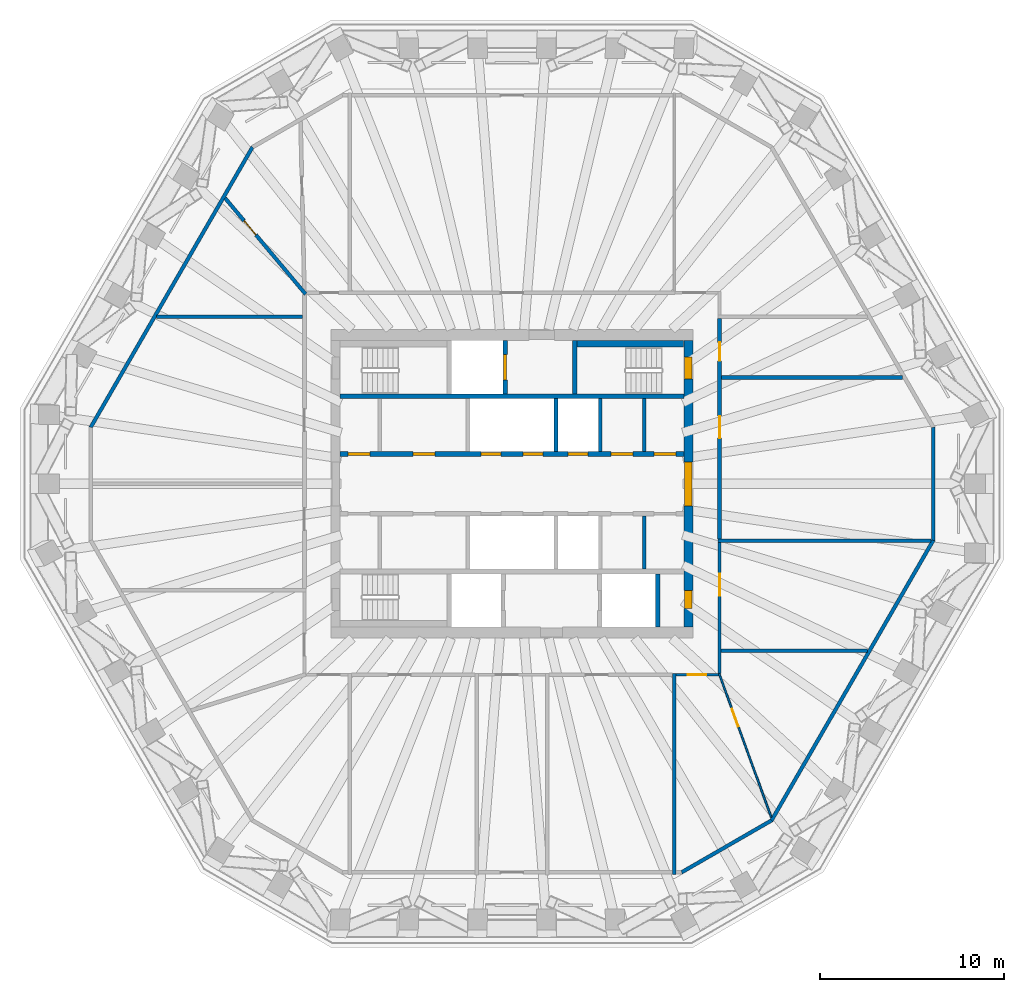
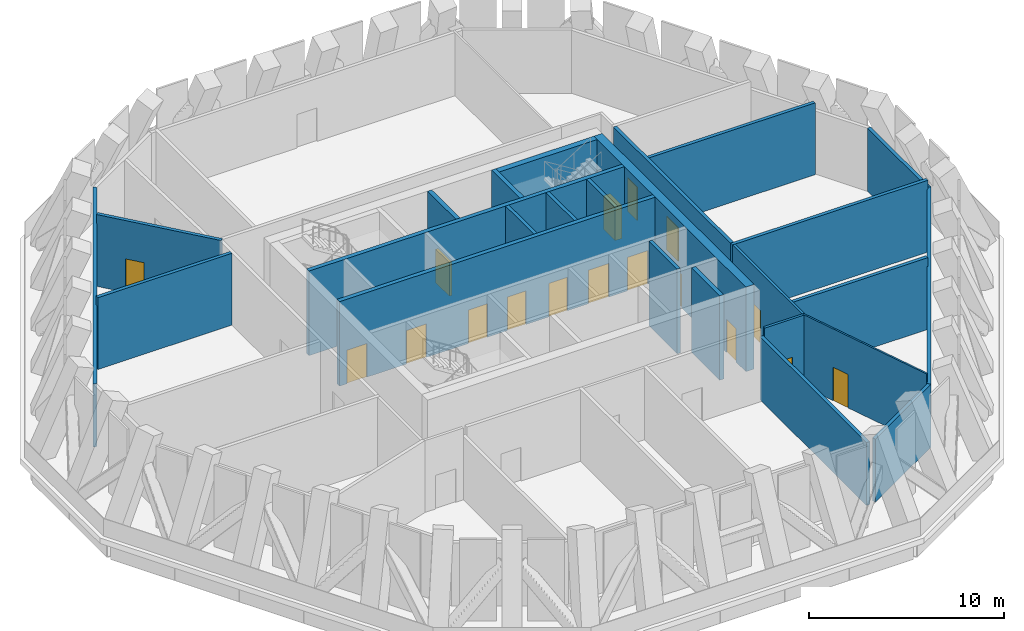
# One storey, part 5 of 8: 25 walls, 17 doors, 17 openings.
"""IFC4 building model written with IfcOpenShell, lengths in metres."""

import ifcopenshell
import ifcopenshell.guid

model = None  # the IFC model being written
_history = None  # IfcOwnerHistory: only IFC2X3 demands one
_inside = {}  # id of a spatial element -> (the spatial element, [elements in it])
_under = {}  # id of a project, library or spatial element -> (it, [spatial elements below it])
_declared = {}  # id of a project -> (the project, [libraries it declares])
_typed = {}  # id of a type object -> (the type object, [elements of that type])
_made_of = {}  # id of a material, layer set ... -> (it, [elements and type objects made of it])


def new_model(schema):
    """Start an empty IFC model of exactly this schema.

    Asked for "IFC4X3", IfcOpenShell would pick the latest addendum, in which some entities
    have other attributes; the version numbers below select the first issue.
    IFC2X3 requires an IfcOwnerHistory on every rooted entity: one is made here for all.
    """
    global model, _history
    if schema == "IFC4X3":
        model = ifcopenshell.file(schema_version=(4, 3, 0, 0))
    else:
        model = ifcopenshell.file(schema=schema)
    _inside.clear()
    _under.clear()
    _declared.clear()
    _typed.clear()
    _made_of.clear()
    _history = None
    if model.schema == "IFC2X3":
        org = make("IfcOrganization", Name="unknown")
        user = make(
            "IfcPersonAndOrganization",
            ThePerson=make("IfcPerson", FamilyName="unknown"),
            TheOrganization=org,
        )
        app = make(
            "IfcApplication",
            ApplicationDeveloper=org,
            Version="unknown",
            ApplicationFullName="unknown",
            ApplicationIdentifier="unknown",
        )
        _history = make(
            "IfcOwnerHistory",
            OwningUser=user,
            OwningApplication=app,
            ChangeAction="ADDED",
            CreationDate=0,
        )
    return model


def make(cls, **values):
    """One entity of the class cls with the attributes given. An attribute that is None is left unset."""
    return model.create_entity(
        cls, **{name: value for name, value in values.items() if value is not None}
    )


def rooted(cls, **values):
    """An entity with a GlobalId (a new one), such as an element, a storey or a relation."""
    return make(cls, GlobalId=ifcopenshell.guid.new(), OwnerHistory=_history, **values)


def si_unit(unit_type, name, prefix=None):
    """IfcSIUnit, for example si_unit("LENGTHUNIT", "METRE", prefix="MILLI")."""
    return make("IfcSIUnit", UnitType=unit_type, Prefix=prefix, Name=name)


def assignment(units):
    """IfcUnitAssignment: the units of a project."""
    return None if units is None else make("IfcUnitAssignment", Units=units)


def point(xyz):
    """IfcCartesianPoint."""
    return None if xyz is None else make("IfcCartesianPoint", Coordinates=xyz)


def direction(xyz):
    """IfcDirection."""
    return None if xyz is None else make("IfcDirection", DirectionRatios=xyz)


def frame(location, z_axis=None, x_axis=None):
    """IfcAxis2Placement3D, a coordinate frame: its origin and axes. An axis left out is left unset."""
    return make(
        "IfcAxis2Placement3D",
        Location=point(location),
        Axis=direction(z_axis),
        RefDirection=direction(x_axis),
    )


def frame_2d(location, x_axis=None):
    """IfcAxis2Placement2D, a coordinate frame in the plane: its origin and x axis."""
    return make(
        "IfcAxis2Placement2D", Location=point(location), RefDirection=direction(x_axis)
    )


def origin():
    """The frame at (0, 0, 0) with its axes left unset."""
    return frame((0.0, 0.0, 0.0))


def place(relative_to, where):
    """IfcLocalPlacement: puts the frame where relative to a parent placement (None: the world)."""
    return make(
        "IfcLocalPlacement", PlacementRelTo=relative_to, RelativePlacement=where
    )


def context(
    kind, dimensions, precision=None, world=None, true_north=None, identifier=None
):
    """IfcGeometricRepresentationContext, for example the 3D "Model" context."""
    return make(
        "IfcGeometricRepresentationContext",
        ContextIdentifier=identifier,
        ContextType=kind,
        CoordinateSpaceDimension=dimensions,
        Precision=precision,
        WorldCoordinateSystem=world,
        TrueNorth=true_north,
    )


def subcontext(parent, identifier, kind, view, scale=None):
    """IfcGeometricRepresentationSubContext, for example "Body" below "Model"."""
    return make(
        "IfcGeometricRepresentationSubContext",
        ContextIdentifier=identifier,
        ContextType=kind,
        ParentContext=parent,
        TargetScale=scale,
        TargetView=view,
    )


def project(units=None, contexts=None):
    """IfcProject with its units and contexts."""
    return rooted(
        "IfcProject",
        Name="project",
        RepresentationContexts=contexts,
        UnitsInContext=assignment(units),
    )


def spatial(cls, under=None, at=None, **own):
    """A site, building, storey or space (cls), placed at a placement, below another one or the project."""
    s = rooted(cls, ObjectPlacement=at, **own)
    if under is not None:
        _under.setdefault(under.id(), (under, []))[1].append(s)
    return s


def polyline(points):
    """IfcPolyline through the points."""
    return make("IfcPolyline", Points=[point(p) for p in points])


def profile(cls, at=None, kind="AREA", **sizes):
    """A parametric profile (cls). Its sizes go by their IFC names, for example OverallWidth=200.0."""
    return make(cls, ProfileType=kind, Position=at, **sizes)


def rectangle(**sizes):
    """IfcRectangleProfileDef."""
    return profile("IfcRectangleProfileDef", **sizes)


def outline(outer, holes=None, kind="AREA"):
    """IfcArbitraryClosedProfileDef: a profile drawn as a closed curve; with holes, ...WithVoids."""
    if holes is None:
        return make("IfcArbitraryClosedProfileDef", ProfileType=kind, OuterCurve=outer)
    return make(
        "IfcArbitraryProfileDefWithVoids",
        ProfileType=kind,
        OuterCurve=outer,
        InnerCurves=holes,
    )


def extrude(swept, where, along, depth):
    """IfcExtrudedAreaSolid: the profile swept, set in the frame where, extruded along a direction by depth."""
    return make(
        "IfcExtrudedAreaSolid",
        SweptArea=swept,
        Position=where,
        ExtrudedDirection=direction(along),
        Depth=depth,
    )


def shape(context_of_items, identifier, shape_type, items):
    """IfcShapeRepresentation: the items that make up one representation, for example the "Body"."""
    return make(
        "IfcShapeRepresentation",
        ContextOfItems=context_of_items,
        RepresentationIdentifier=identifier,
        RepresentationType=shape_type,
        Items=items,
    )


def material(Name=None, Category=None):
    """IfcMaterial."""
    return make("IfcMaterial", Name=Name, Category=Category)


def layer(
    of_material, thickness, ventilated=None, Name=None, Category=None, Priority=None
):
    """IfcMaterialLayer: one layer of a wall or slab, of a material (None: an air gap)."""
    return make(
        "IfcMaterialLayer",
        Material=of_material,
        LayerThickness=thickness,
        IsVentilated=ventilated,
        Name=Name,
        Category=Category,
        Priority=Priority,
    )


def layer_set(layers, Name=None):
    """IfcMaterialLayerSet."""
    return make("IfcMaterialLayerSet", MaterialLayers=layers, LayerSetName=Name)


def made_of(thing, what):
    """Note that an element or type object is made of a material, layer set ...; save() writes the relation."""
    if what is not None:
        _made_of.setdefault(what.id(), (what, []))[1].append(thing)
    return thing


def type_object(cls, material=None, **own):
    """A type object (cls), such as IfcWallType, which elements share."""
    return made_of(rooted(cls, **own), material)


def element(
    cls,
    number,
    at=None,
    inside=None,
    cuts=None,
    type_object=None,
    material=None,
    context=None,
    identifier="Body",
    shape_type=None,
    held_by="IfcProductDefinitionShape",
    body=None,
    shapes=None,
    **own,
):
    """One element of the class cls, such as IfcWall. Its Tag is "e" and its number.

    at: its placement. inside: the storey or other place that contains it. cuts: it is an
    opening in that element (IfcRelVoidsElement). A single representation is given by context,
    identifier, shape_type and body (its items); several are given by shapes. held_by: the class
    of the entity that holds the representations. save() writes the other relations.
    """
    e = rooted(cls, Tag="e%d" % number, ObjectPlacement=at, **own)
    if body is not None:
        shapes = [shape(context, identifier, shape_type, body)]
    if shapes is not None:
        e.Representation = make(held_by, Representations=shapes)
    if inside is not None:
        _inside.setdefault(inside.id(), (inside, []))[1].append(e)
    if cuts is not None:
        rooted(
            "IfcRelVoidsElement", RelatingBuildingElement=cuts, RelatedOpeningElement=e
        )
    if type_object is not None:
        _typed.setdefault(type_object.id(), (type_object, []))[1].append(e)
    return made_of(e, material)


def fill(opening, filler):
    """IfcRelFillsElement: the door or window that sits in an opening."""
    return rooted(
        "IfcRelFillsElement",
        RelatingOpeningElement=opening,
        RelatedBuildingElement=filler,
    )


def aggregate(whole, parts):
    """IfcRelAggregates: a whole, such as a stair, and the parts it consists of."""
    return rooted("IfcRelAggregates", RelatingObject=whole, RelatedObjects=parts)


def save(model, path):
    """Write the relations noted so far, then the file.

    IfcRelAggregates (storeys below a building ...), IfcRelContainedInSpatialStructure (elements
    in a storey), IfcRelDefinesByType, IfcRelAssociatesMaterial and IfcRelDeclares: one each for
    every whole, place, type object, material and project.
    """
    for whole, parts in _under.values():
        aggregate(whole, parts)
    for where, things in _inside.values():
        rooted(
            "IfcRelContainedInSpatialStructure",
            RelatedElements=things,
            RelatingStructure=where,
        )
    for kind, things in _typed.values():
        rooted("IfcRelDefinesByType", RelatedObjects=things, RelatingType=kind)
    for what, things in _made_of.values():
        rooted("IfcRelAssociatesMaterial", RelatedObjects=things, RelatingMaterial=what)
    for by, libraries in _declared.values():
        rooted("IfcRelDeclares", RelatingContext=by, RelatedDefinitions=libraries)
    model.write(path)


model = new_model("IFC4")

# Units and contexts
model_context = context("Model", 3, precision=1e-05, world=origin(), true_north=direction((0.0, 1.0)))
body_context = subcontext(model_context, "Body", "Model", "MODEL_VIEW")
ifc_project = project(units=[si_unit("LENGTHUNIT", "METRE"), si_unit("AREAUNIT", "SQUARE_METRE"), si_unit("VOLUMEUNIT", "CUBIC_METRE"), si_unit("PLANEANGLEUNIT", "RADIAN"), si_unit("MASSUNIT", "GRAM", prefix="KILO")], contexts=[model_context])

# Site, building, storey
site_placement = place(None, origin())
site = spatial("IfcSite", under=ifc_project, at=site_placement, CompositionType="ELEMENT")
building_placement = place(site_placement, origin())
building = spatial("IfcBuilding", under=site, at=building_placement, Name="Frailejon Research Tower", CompositionType="ELEMENT")
storey_placement = place(building_placement, frame((0.0, 0.0, 257.39990234375)))
storey = spatial("IfcBuildingStorey", under=building, at=storey_placement, Name="L56", CompositionType="ELEMENT", Elevation=257.39990234375)

# Wall, openings, doors
ifc_material_1 = material(Name="Concrete C50/60", Category="concrete")
ifc_layer_1 = layer(ifc_material_1, 0.5)
ifc_layer_set_1 = layer_set([ifc_layer_1], Name="Core shear wall 500 C50/60")
wall_type_1 = type_object("IfcWallType", Name="Core shear wall 500 C50/60", PredefinedType="SHEAR", material=ifc_layer_set_1)
wall_1_placement = place(storey_placement, frame((9.60009765625, -7.800048828125, 0.0), z_axis=(0.0, 0.0, 1.0), x_axis=(0.0, 1.0, 0.0)))
wall_1 = element("IfcWall", 1, at=wall_1_placement, inside=storey, type_object=wall_type_1, Name="Core shear wall", PredefinedType="SHEAR", context=body_context, shape_type="SweptSolid", body=[
    extrude(rectangle(XDim=15.60009765625, YDim=0.5, at=frame_2d((7.800048828125, 0.0))), origin(), (0.0, 0.0, 1.0), 5.300048828125),
])
opening_1_placement = place(wall_1_placement, frame((6.60009765625, 0.0, 0.0)))
opening_1 = element("IfcOpeningElement", 2, at=opening_1_placement, cuts=wall_1, Name="Opening D2", PredefinedType="OPENING", context=body_context, shape_type="SweptSolid", body=[
    extrude(rectangle(XDim=2.39990234375, YDim=2.10009765625, at=frame_2d((1.199951171875, 1.050048828125))), frame((0.0, 0.260009765625, 0.0), z_axis=(0.0, -1.0, 0.0), x_axis=(1.0, 0.0, 0.0)), (0.0, 0.0, 1.0), 0.52001953125),
])
opening_2_placement = place(wall_1_placement, frame((13.5, 0.0, 0.0)))
opening_2 = element("IfcOpeningElement", 3, at=opening_2_placement, cuts=wall_1, Name="Opening D1", PredefinedType="OPENING", context=body_context, shape_type="SweptSolid", body=[
    extrude(rectangle(XDim=1.199951171875, YDim=2.10009765625, at=frame_2d((0.60009765625, 1.050048828125))), frame((0.0, 0.260009765625, 0.0), z_axis=(0.0, -1.0, 0.0), x_axis=(1.0, 0.0, 0.0)), (0.0, 0.0, 1.0), 0.52001953125),
])
opening_3_placement = place(wall_1_placement, frame((1.0, 0.0, 0.0)))
opening_3 = element("IfcOpeningElement", 4, at=opening_3_placement, cuts=wall_1, Name="Opening D4", PredefinedType="OPENING", context=body_context, shape_type="SweptSolid", body=[
    extrude(rectangle(XDim=1.0, YDim=2.10009765625, at=frame_2d((0.5, 1.050048828125))), frame((0.0, 0.260009765625, 0.0), z_axis=(0.0, -1.0, 0.0), x_axis=(1.0, 0.0, 0.0)), (0.0, 0.0, 1.0), 0.52001953125),
])
ifc_material_2 = material(Name="Steel", Category="steel")
door_type_1 = type_object("IfcDoorType", Name="Lobby double door", OperationType="DOUBLE_DOOR_SINGLE_SWING", PredefinedType="DOOR", material=ifc_material_2)
door_1_placement = place(opening_1_placement, origin())
door_1 = element("IfcDoor", 5, at=door_1_placement, inside=storey, type_object=door_type_1, Name="Lobby door", OperationType="DOUBLE_DOOR_SINGLE_SWING", OverallHeight=2.10009765625, OverallWidth=2.39990234375, PredefinedType="DOOR", context=body_context, shape_type="SweptSolid", body=[
    extrude(rectangle(XDim=2.39990234375, YDim=2.10009765625, at=frame_2d((1.199951171875, 1.050048828125))), frame((0.0, 0.199951171875, 0.0), z_axis=(0.0, -1.0, 0.0), x_axis=(1.0, 0.0, 0.0)), (0.0, 0.0, 1.0), 0.39990234375),
])
fill(opening_1, door_1)
ifc_material_3 = material(Name="Steel", Category="steel")
door_type_2 = type_object("IfcDoorType", Name="Service door", OperationType="SINGLE_SWING_LEFT", PredefinedType="DOOR", material=ifc_material_3)
door_2_placement = place(opening_3_placement, origin())
door_2 = element("IfcDoor", 6, at=door_2_placement, inside=storey, type_object=door_type_2, Name="Riser door", OperationType="SINGLE_SWING_LEFT", OverallHeight=2.10009765625, OverallWidth=1.0, PredefinedType="DOOR", context=body_context, shape_type="SweptSolid", body=[
    extrude(rectangle(XDim=1.0, YDim=2.10009765625, at=frame_2d((0.5, 1.050048828125))), frame((0.0, 0.199951171875, 0.0), z_axis=(0.0, -1.0, 0.0), x_axis=(1.0, 0.0, 0.0)), (0.0, 0.0, 1.0), 0.39990234375),
])
fill(opening_3, door_2)
ifc_material_4 = material(Name="Steel", Category="steel")
door_type_3 = type_object("IfcDoorType", Name="Stair door", OperationType="SINGLE_SWING_LEFT", PredefinedType="DOOR", material=ifc_material_4)
door_3_placement = place(opening_2_placement, origin())
door_3 = element("IfcDoor", 7, at=door_3_placement, inside=storey, type_object=door_type_3, Name="Stair door ST3", OperationType="SINGLE_SWING_RIGHT", OverallHeight=2.10009765625, OverallWidth=1.199951171875, PredefinedType="DOOR", context=body_context, shape_type="SweptSolid", body=[
    extrude(rectangle(XDim=1.199951171875, YDim=2.10009765625, at=frame_2d((0.60009765625, 1.050048828125))), frame((0.0, 0.199951171875, 0.0), z_axis=(0.0, -1.0, 0.0), x_axis=(1.0, 0.0, 0.0)), (0.0, 0.0, 1.0), 0.39990234375),
])
fill(opening_2, door_3)

# Wall, opening, door
ifc_material_5 = material(Name="Gypsum board and masonry partition", Category="masonry")
ifc_layer_2 = layer(ifc_material_5, 0.14990234375)
ifc_layer_set_2 = layer_set([ifc_layer_2], Name="Corridor wall EI 60, gypsum on steel studs 150")
wall_type_2 = type_object("IfcWallType", Name="Corridor wall EI 60, gypsum on steel studs 150", PredefinedType="PARTITIONING", material=ifc_layer_set_2)
wall_2_placement = place(storey_placement, frame((11.300048828125, -10.324951171875, 0.0), z_axis=(0.0, 0.0, 1.0), x_axis=(0.0, 1.0, 0.0)))
wall_2 = element("IfcWall", 8, at=wall_2_placement, inside=storey, type_object=wall_type_2, Name="T:IW:L56:002", PredefinedType="PARTITIONING", context=body_context, shape_type="SweptSolid", body=[
    extrude(rectangle(XDim=7.12158203125, YDim=0.14990234375, at=frame_2d((3.560791015625, 0.0))), origin(), (0.0, 0.0, 1.0), 4.5),
])
opening_4_placement = place(wall_2_placement, frame((4.239501953125, 0.0, 0.0)))
opening_4 = element("IfcOpeningElement", 9, at=opening_4_placement, cuts=wall_2, Name="Opening D1146", PredefinedType="OPENING", context=body_context, shape_type="SweptSolid", body=[
    extrude(rectangle(XDim=1.199951171875, YDim=2.10009765625, at=frame_2d((0.60009765625, 1.050048828125))), frame((0.0, 0.0849609375, 0.0), z_axis=(0.0, -1.0, 0.0), x_axis=(1.0, 0.0, 0.0)), (0.0, 0.0, 1.0), 0.169921875),
])
ifc_material_6 = material(Name="Steel door leaf", Category="steel")
door_type_4 = type_object("IfcDoorType", Name="Door plant room, steel 1200", OperationType="NOTDEFINED", PredefinedType="DOOR", material=ifc_material_6)
door_4_placement = place(opening_4_placement, origin())
door_4 = element("IfcDoor", 10, at=door_4_placement, inside=storey, type_object=door_type_4, Name="D1146", OperationType="DOUBLE_DOOR_SINGLE_SWING", OverallHeight=2.10009765625, OverallWidth=1.199951171875, PredefinedType="DOOR", context=body_context, shape_type="SweptSolid", body=[
    extrude(rectangle(XDim=1.199951171875, YDim=2.10009765625, at=frame_2d((0.60009765625, 1.050048828125))), frame((0.0, 0.02490234375, 0.0), z_axis=(0.0, -1.0, 0.0), x_axis=(1.0, 0.0, 0.0)), (0.0, 0.0, 1.0), 0.050048828125),
])
fill(opening_4, door_4)

wall_3_placement = place(storey_placement, frame((8.9296875, -10.39990234375, 0.0), z_axis=(0.0, 0.0, 1.0), x_axis=(1.0, 0.0, 0.0)))
wall_3 = element("IfcWall", 11, at=wall_3_placement, inside=storey, type_object=wall_type_2, Name="T:IW:L56:007", PredefinedType="PARTITIONING", context=body_context, shape_type="SweptSolid", body=[
    extrude(rectangle(XDim=2.3203125, YDim=0.14990234375, at=frame_2d((1.16015625, 0.0))), origin(), (0.0, 0.0, 1.0), 4.5),
])
opening_5_placement = place(wall_3_placement, frame((0.63525390625, 0.0, 0.0)))
opening_5 = element("IfcOpeningElement", 12, at=opening_5_placement, cuts=wall_3, Name="Opening D1144", PredefinedType="OPENING", context=body_context, shape_type="SweptSolid", body=[
    extrude(rectangle(XDim=1.0, YDim=2.10009765625, at=frame_2d((0.5, 1.050048828125))), frame((0.0, 0.0849609375, 0.0), z_axis=(0.0, -1.0, 0.0), x_axis=(1.0, 0.0, 0.0)), (0.0, 0.0, 1.0), 0.169921875),
])
ifc_material_7 = material(Name="Timber door leaf", Category="wood")
door_type_5 = type_object("IfcDoorType", Name="Door single leaf, timber, steel frame 1000", OperationType="NOTDEFINED", PredefinedType="DOOR", material=ifc_material_7)
door_5_placement = place(opening_5_placement, origin())
door_5 = element("IfcDoor", 13, at=door_5_placement, inside=storey, type_object=door_type_5, Name="D1144", OperationType="SINGLE_SWING_LEFT", OverallHeight=2.10009765625, OverallWidth=1.0, PredefinedType="DOOR", context=body_context, shape_type="SweptSolid", body=[
    extrude(rectangle(XDim=1.0, YDim=2.10009765625, at=frame_2d((0.5, 1.050048828125))), frame((0.0, 0.02490234375, 0.0), z_axis=(0.0, -1.0, 0.0), x_axis=(1.0, 0.0, 0.0)), (0.0, 0.0, 1.0), 0.050048828125),
])
fill(opening_5, door_5)

# Walls
ifc_material_8 = material(Name="Aluminium louvre panel wall", Category="aluminium")
ifc_layer_3 = layer(ifc_material_8, 0.199951171875)
ifc_layer_set_3 = layer_set([ifc_layer_3], Name="Louvred plant wall 200")
wall_type_3 = type_object("IfcWallType", Name="Louvred plant wall 200", PredefinedType="SOLIDWALL", material=ifc_layer_set_3)
wall_4_placement = place(storey_placement, frame((22.934326171875, -3.076416015625, 0.0), z_axis=(0.0, 0.0, 1.0), x_axis=(0.0, 1.0, 0.0)))
element("IfcWall", 14, at=wall_4_placement, inside=storey, type_object=wall_type_3, Name="Plant louvre wall L56", PredefinedType="SOLIDWALL", context=body_context, shape_type="SweptSolid", body=[
    extrude(outline(polyline([(-0.02685546875, -0.10009765625), (6.1796875, -0.10009765625), (6.1259765625, 0.10009765625), (0.02685546875, 0.10009765625), (-0.02685546875, -0.10009765625)])), origin(), (0.0, 0.0, 1.0), 3.9501953125),
])
wall_5_placement = place(storey_placement, frame((-14.131591796875, 18.323486328125, 0.0), z_axis=(0.0, 0.0, 1.0), x_axis=(-0.499992938033, -0.866029480975, 0.0)))
element("IfcWall", 15, at=wall_5_placement, inside=storey, type_object=wall_type_3, Name="Plant louvre wall L56", PredefinedType="SOLIDWALL", context=body_context, shape_type="SweptSolid", body=[
    extrude(outline(polyline([(-0.02685546875, -0.10009765625), (17.632568359375, -0.10009765625), (17.578857421875, 0.10009765625), (0.02685546875, 0.10009765625), (-0.02685546875, -0.10009765625)])), origin(), (0.0, 0.0, 1.0), 3.9501953125),
])
wall_6_placement = place(storey_placement, frame((9.23583984375, -21.14990234375, 0.0), z_axis=(0.0, 0.0, 1.0), x_axis=(0.866036716508, 0.499980405277, 0.0)))
element("IfcWall", 16, at=wall_6_placement, inside=storey, type_object=wall_type_3, Name="Plant louvre wall L56", PredefinedType="SOLIDWALL", context=body_context, shape_type="SweptSolid", body=[
    extrude(outline(polyline([(-0.02685546875, -0.10009765625), (5.679931640625, -0.10009765625), (5.626220703125, 0.10009765625), (0.02685546875, 0.10009765625), (-0.02685546875, -0.10009765625)])), origin(), (0.0, 0.0, 1.0), 3.9501953125),
])
wall_7_placement = place(storey_placement, frame((14.131591796875, -18.323486328125, 0.0), z_axis=(0.0, 0.0, 1.0), x_axis=(0.499992938033, 0.866029480975, 0.0)))
element("IfcWall", 17, at=wall_7_placement, inside=storey, type_object=wall_type_3, Name="Plant louvre wall L56", PredefinedType="SOLIDWALL", context=body_context, shape_type="SweptSolid", body=[
    extrude(outline(polyline([(-0.02685546875, -0.10009765625), (17.632568359375, -0.10009765625), (17.578857421875, 0.10009765625), (0.02685546875, 0.10009765625), (-0.02685546875, -0.10009765625)])), origin(), (0.0, 0.0, 1.0), 3.9501953125),
])

# Wall, opening, door
ifc_material_9 = material(Name="Gypsum board and masonry partition", Category="masonry")
ifc_layer_4 = layer(ifc_material_9, 0.10009765625)
ifc_layer_set_4 = layer_set([ifc_layer_4], Name="Partition, gypsum on steel studs 100")
wall_type_4 = type_object("IfcWallType", Name="Partition, gypsum on steel studs 100", PredefinedType="PARTITIONING", material=ifc_layer_set_4)
wall_8_placement = place(storey_placement, frame((11.2744140625, -10.32958984375, 0.0), z_axis=(0.0, 0.0, 1.0), x_axis=(0.341410896854, -0.939914144754, 0.0)))
wall_8 = element("IfcWall", 18, at=wall_8_placement, inside=storey, type_object=wall_type_4, Name="T:IW:L56:009", PredefinedType="PARTITIONING", context=body_context, shape_type="SweptSolid", body=[
    extrude(rectangle(XDim=8.321533203125, YDim=0.10009765625, at=frame_2d((4.16064453125, 0.0))), origin(), (0.0, 0.0, 1.0), 4.5),
])
opening_6_placement = place(wall_8_placement, frame((2.061767578125, 0.0, 0.0)))
opening_6 = element("IfcOpeningElement", 19, at=opening_6_placement, cuts=wall_8, Name="Opening D1145", PredefinedType="OPENING", context=body_context, shape_type="SweptSolid", body=[
    extrude(rectangle(XDim=1.0, YDim=2.10009765625, at=frame_2d((0.5, 1.050048828125))), frame((0.0, 0.06005859375, 0.0), z_axis=(0.0, -1.0, 0.0), x_axis=(1.0, 0.0, 0.0)), (0.0, 0.0, 1.0), 0.1201171875),
])
door_6_placement = place(opening_6_placement, origin())
door_6 = element("IfcDoor", 20, at=door_6_placement, inside=storey, type_object=door_type_5, Name="D1145", OperationType="SINGLE_SWING_RIGHT", OverallHeight=2.10009765625, OverallWidth=1.0, PredefinedType="DOOR", context=body_context, shape_type="SweptSolid", body=[
    extrude(rectangle(XDim=1.0, YDim=2.10009765625, at=frame_2d((0.5, 1.050048828125))), frame((0.0, 0.02490234375, 0.0), z_axis=(0.0, -1.0, 0.0), x_axis=(1.0, 0.0, 0.0)), (0.0, 0.0, 1.0), 0.050048828125),
])
fill(opening_6, door_6)

# Wall, openings, doors
ifc_material_10 = material(Name="Gypsum board and masonry partition", Category="masonry")
ifc_layer_5 = layer(ifc_material_10, 0.199951171875)
ifc_layer_set_5 = layer_set([ifc_layer_5], Name="Plant enclosure wall, blockwork 200")
wall_type_5 = type_object("IfcWallType", Name="Plant enclosure wall, blockwork 200", PredefinedType="PARTITIONING", material=ifc_layer_set_5)
wall_9_placement = place(storey_placement, frame((11.300048828125, -3.00341796875, 0.0), z_axis=(0.0, 0.0, 1.0), x_axis=(0.0, 1.0, 0.0)))
wall_9 = element("IfcWall", 21, at=wall_9_placement, inside=storey, type_object=wall_type_5, Name="T:IW:L56:010", PredefinedType="PARTITIONING", context=body_context, shape_type="SweptSolid", body=[
    extrude(rectangle(XDim=11.998779296875, YDim=0.199951171875, at=frame_2d((5.99951171875, 0.0))), origin(), (0.0, 0.0, 1.0), 4.5),
])
opening_7_placement = place(wall_9_placement, frame((5.491943359375, 0.0, 0.0)))
opening_7 = element("IfcOpeningElement", 22, at=opening_7_placement, cuts=wall_9, Name="Opening D1130", PredefinedType="OPENING", context=body_context, shape_type="SweptSolid", body=[
    extrude(rectangle(XDim=1.199951171875, YDim=2.10009765625, at=frame_2d((0.60009765625, 1.050048828125))), frame((0.0, 0.10986328125, 0.0), z_axis=(0.0, -1.0, 0.0), x_axis=(1.0, 0.0, 0.0)), (0.0, 0.0, 1.0), 0.219970703125),
])
opening_8_placement = place(wall_9_placement, frame((9.702392578125, 0.0, 0.0)))
opening_8 = element("IfcOpeningElement", 23, at=opening_8_placement, cuts=wall_9, Name="Opening D1131", PredefinedType="OPENING", context=body_context, shape_type="SweptSolid", body=[
    extrude(rectangle(XDim=1.0, YDim=2.10009765625, at=frame_2d((0.5, 1.050048828125))), frame((0.0, 0.10986328125, 0.0), z_axis=(0.0, -1.0, 0.0), x_axis=(1.0, 0.0, 0.0)), (0.0, 0.0, 1.0), 0.219970703125),
])
ifc_material_11 = material(Name="Steel door leaf", Category="steel")
door_type_6 = type_object("IfcDoorType", Name="Door plant room, steel 1000", OperationType="NOTDEFINED", PredefinedType="DOOR", material=ifc_material_11)
door_7_placement = place(opening_8_placement, origin())
door_7 = element("IfcDoor", 24, at=door_7_placement, inside=storey, type_object=door_type_6, Name="D1131", OperationType="SINGLE_SWING_RIGHT", OverallHeight=2.10009765625, OverallWidth=1.0, PredefinedType="DOOR", context=body_context, shape_type="SweptSolid", body=[
    extrude(rectangle(XDim=1.0, YDim=2.10009765625, at=frame_2d((0.5, 1.050048828125))), frame((0.0, 0.02490234375, 0.0), z_axis=(0.0, -1.0, 0.0), x_axis=(1.0, 0.0, 0.0)), (0.0, 0.0, 1.0), 0.050048828125),
])
fill(opening_8, door_7)
door_8_placement = place(opening_7_placement, origin())
door_8 = element("IfcDoor", 25, at=door_8_placement, inside=storey, type_object=door_type_4, Name="D1130", OperationType="DOUBLE_DOOR_SINGLE_SWING", OverallHeight=2.10009765625, OverallWidth=1.199951171875, PredefinedType="DOOR", context=body_context, shape_type="SweptSolid", body=[
    extrude(rectangle(XDim=1.199951171875, YDim=2.10009765625, at=frame_2d((0.60009765625, 1.050048828125))), frame((0.0, 0.02490234375, 0.0), z_axis=(0.0, -1.0, 0.0), x_axis=(1.0, 0.0, 0.0)), (0.0, 0.0, 1.0), 0.050048828125),
])
fill(opening_7, door_8)

# Walls
wall_10_placement = place(storey_placement, frame((11.39990234375, 5.785888671875, 0.0), z_axis=(0.0, 0.0, 1.0), x_axis=(1.0, 0.0, 0.0)))
element("IfcWall", 26, at=wall_10_placement, inside=storey, type_object=wall_type_5, Name="T:IW:L56:015", PredefinedType="PARTITIONING", context=body_context, shape_type="SweptSolid", body=[
    extrude(rectangle(XDim=9.854736328125, YDim=0.199951171875, at=frame_2d((4.92724609375, 0.0))), origin(), (0.0, 0.0, 1.0), 4.5),
])
wall_11_placement = place(storey_placement, frame((11.22509765625, -3.103271484375, 0.0), z_axis=(0.0, 0.0, 1.0), x_axis=(1.0, 0.0, 0.0)))
element("IfcWall", 27, at=wall_11_placement, inside=storey, type_object=wall_type_5, Name="T:IW:L56:016", PredefinedType="PARTITIONING", context=body_context, shape_type="SweptSolid", body=[
    extrude(rectangle(XDim=11.578369140625, YDim=0.199951171875, at=frame_2d((5.7890625, 0.0))), origin(), (0.0, 0.0, 1.0), 4.5),
])
wall_12_placement = place(storey_placement, frame((-19.343994140625, 9.09521484375, 0.0), z_axis=(0.0, 0.0, 1.0), x_axis=(1.0, 0.0, 0.0)))
element("IfcWall", 28, at=wall_12_placement, inside=storey, type_object=wall_type_5, Name="T:IW:L56:017", PredefinedType="PARTITIONING", context=body_context, shape_type="SweptSolid", body=[
    extrude(rectangle(XDim=7.944091796875, YDim=0.199951171875, at=frame_2d((3.97216796875, 0.0))), origin(), (0.0, 0.0, 1.0), 4.5),
])

# Wall, opening, door
wall_13_placement = place(storey_placement, frame((-15.616943359375, 15.55078125, 0.0), z_axis=(0.0, 0.0, 1.0), x_axis=(0.642347180655, -0.766413791307, 0.0)))
wall_13 = element("IfcWall", 29, at=wall_13_placement, inside=storey, type_object=wall_type_5, Name="T:IW:L56:022", PredefinedType="PARTITIONING", context=body_context, shape_type="SweptSolid", body=[
    extrude(rectangle(XDim=6.820556640625, YDim=0.199951171875, at=frame_2d((3.41015625, 0.0))), origin(), (0.0, 0.0, 1.0), 4.5),
])
opening_9_placement = place(wall_13_placement, frame((1.60498046875, 0.0, 0.0)))
opening_9 = element("IfcOpeningElement", 30, at=opening_9_placement, cuts=wall_13, Name="Opening D1136", PredefinedType="OPENING", context=body_context, shape_type="SweptSolid", body=[
    extrude(rectangle(XDim=1.0, YDim=2.10009765625, at=frame_2d((0.5, 1.050048828125))), frame((0.0, 0.10986328125, 0.0), z_axis=(0.0, -1.0, 0.0), x_axis=(1.0, 0.0, 0.0)), (0.0, 0.0, 1.0), 0.219970703125),
])
door_9_placement = place(opening_9_placement, origin())
door_9 = element("IfcDoor", 31, at=door_9_placement, inside=storey, type_object=door_type_6, Name="D1136", OperationType="SINGLE_SWING_LEFT", OverallHeight=2.10009765625, OverallWidth=1.0, PredefinedType="DOOR", context=body_context, shape_type="SweptSolid", body=[
    extrude(rectangle(XDim=1.0, YDim=2.10009765625, at=frame_2d((0.5, 1.050048828125))), frame((0.0, 0.02490234375, 0.0), z_axis=(0.0, -1.0, 0.0), x_axis=(1.0, 0.0, 0.0)), (0.0, 0.0, 1.0), 0.050048828125),
])
fill(opening_9, door_9)

# Walls
wall_14_placement = place(storey_placement, frame((8.82958984375, -21.26904296875, 0.0), z_axis=(0.0, 0.0, 1.0), x_axis=(0.0, 1.0, 0.0)))
element("IfcWall", 32, at=wall_14_placement, inside=storey, type_object=wall_type_5, Name="T:IW:L56:028", PredefinedType="PARTITIONING", context=body_context, shape_type="SweptSolid", body=[
    extrude(rectangle(XDim=10.944091796875, YDim=0.199951171875, at=frame_2d((5.47216796875, 0.0))), origin(), (0.0, 0.0, 1.0), 3.9501953125),
])
wall_15_placement = place(storey_placement, frame((11.375, -9.09521484375, 0.0), z_axis=(0.0, 0.0, 1.0), x_axis=(1.0, 0.0, 0.0)))
element("IfcWall", 33, at=wall_15_placement, inside=storey, type_object=wall_type_5, Name="T:IW:L56:029", PredefinedType="PARTITIONING", context=body_context, shape_type="SweptSolid", body=[
    extrude(rectangle(XDim=7.968994140625, YDim=0.199951171875, at=frame_2d((3.984375, 0.0))), origin(), (0.0, 0.0, 1.0), 4.5),
])
ifc_material_12 = material(Name="Concrete C50/60", Category="concrete")
ifc_layer_6 = layer(ifc_material_12, 0.199951171875)
ifc_layer_set_6 = layer_set([ifc_layer_6], Name="Shaft wall 200 C50/60")
wall_type_6 = type_object("IfcWallType", Name="Shaft wall 200 C50/60", PredefinedType="SOLIDWALL", material=ifc_layer_set_6)
for number, where, z_axis, x_axis, name in (
    (34, (2.39990234375, 1.75, 0.0), (0.0, 0.0, 1.0), (0.0, 1.0, 0.0), "Shaft wall"),
    (35, (4.800048828125, 1.75, 0.0), (0.0, 0.0, 1.0), (0.0, 1.0, 0.0), "Shaft wall"),
    (36, (7.199951171875, 1.75, 0.0), (0.0, 0.0, 1.0), (0.0, 1.0, 0.0), "Shaft wall"),
    (37, (7.199951171875, -4.64990234375, 0.0), (0.0, 0.0, 1.0), (0.0, 1.0, 0.0), "Shaft wall"),
):
    element("IfcWall", number, at=place(storey_placement, frame(where, z_axis=z_axis, x_axis=x_axis)), inside=storey, type_object=wall_type_6, Name=name, PredefinedType="SOLIDWALL", context=body_context, shape_type="SweptSolid", body=[
        extrude(rectangle(XDim=2.89990234375, YDim=0.199951171875, at=frame_2d((1.449951171875, 0.0))), origin(), (0.0, 0.0, 1.0), 5.300048828125),
    ])

# Wall, openings, doors
ifc_material_13 = material(Name="Concrete C50/60", Category="concrete")
ifc_layer_7 = layer(ifc_material_13, 0.25)
ifc_layer_set_7 = layer_set([ifc_layer_7], Name="Shaft wall 250 C50/60")
wall_type_7 = type_object("IfcWallType", Name="Shaft wall 250 C50/60", PredefinedType="SOLIDWALL", material=ifc_layer_set_7)
wall_16_placement = place(storey_placement, frame((-9.35009765625, 1.625, 0.0), z_axis=(0.0, 0.0, 1.0), x_axis=(1.0, 0.0, 0.0)))
wall_16 = element("IfcWall", 38, at=wall_16_placement, inside=storey, type_object=wall_type_7, Name="Shaft wall", PredefinedType="SOLIDWALL", context=body_context, shape_type="SweptSolid", body=[
    extrude(rectangle(XDim=18.7001953125, YDim=0.25, at=frame_2d((9.35009765625, 0.0))), origin(), (0.0, 0.0, 1.0), 5.300048828125),
])
opening_10_placement = place(wall_16_placement, frame((7.64990234375, 0.0, 0.0)))
opening_10 = element("IfcOpeningElement", 39, at=opening_10_placement, cuts=wall_16, Name="Opening LD", PredefinedType="OPENING", context=body_context, shape_type="SweptSolid", body=[
    extrude(rectangle(XDim=1.10009765625, YDim=2.10009765625, at=frame_2d((0.550048828125, 1.050048828125))), frame((0.0, 0.135009765625, 0.0), z_axis=(0.0, -1.0, 0.0), x_axis=(1.0, 0.0, 0.0)), (0.0, 0.0, 1.0), 0.27001953125),
])
opening_11_placement = place(wall_16_placement, frame((9.949951171875, 0.0, 0.0)))
opening_11 = element("IfcOpeningElement", 40, at=opening_11_placement, cuts=wall_16, Name="Opening LD", PredefinedType="OPENING", context=body_context, shape_type="SweptSolid", body=[
    extrude(rectangle(XDim=1.10009765625, YDim=2.10009765625, at=frame_2d((0.550048828125, 1.050048828125))), frame((0.0, 0.135009765625, 0.0), z_axis=(0.0, -1.0, 0.0), x_axis=(1.0, 0.0, 0.0)), (0.0, 0.0, 1.0), 0.27001953125),
])
opening_12_placement = place(wall_16_placement, frame((12.39990234375, 0.0, 0.0)))
opening_12 = element("IfcOpeningElement", 41, at=opening_12_placement, cuts=wall_16, Name="Opening LD", PredefinedType="OPENING", context=body_context, shape_type="SweptSolid", body=[
    extrude(rectangle(XDim=1.10009765625, YDim=2.10009765625, at=frame_2d((0.550048828125, 1.050048828125))), frame((0.0, 0.135009765625, 0.0), z_axis=(0.0, -1.0, 0.0), x_axis=(1.0, 0.0, 0.0)), (0.0, 0.0, 1.0), 0.27001953125),
])
opening_13_placement = place(wall_16_placement, frame((0.425048828125, 0.0, 0.0)))
opening_13 = element("IfcOpeningElement", 42, at=opening_13_placement, cuts=wall_16, Name="Opening D6", PredefinedType="OPENING", context=body_context, shape_type="SweptSolid", body=[
    extrude(rectangle(XDim=1.199951171875, YDim=2.10009765625, at=frame_2d((0.60009765625, 1.050048828125))), frame((0.0, 0.135009765625, 0.0), z_axis=(0.0, -1.0, 0.0), x_axis=(1.0, 0.0, 0.0)), (0.0, 0.0, 1.0), 0.27001953125),
])
opening_14_placement = place(wall_16_placement, frame((3.949951171875, 0.0, 0.0)))
opening_14 = element("IfcOpeningElement", 43, at=opening_14_placement, cuts=wall_16, Name="Opening D6", PredefinedType="OPENING", context=body_context, shape_type="SweptSolid", body=[
    extrude(rectangle(XDim=1.199951171875, YDim=2.10009765625, at=frame_2d((0.60009765625, 1.050048828125))), frame((0.0, 0.135009765625, 0.0), z_axis=(0.0, -1.0, 0.0), x_axis=(1.0, 0.0, 0.0)), (0.0, 0.0, 1.0), 0.27001953125),
])
opening_15_placement = place(wall_16_placement, frame((14.75, 0.0, 0.0)))
opening_15 = element("IfcOpeningElement", 44, at=opening_15_placement, cuts=wall_16, Name="Opening D6", PredefinedType="OPENING", context=body_context, shape_type="SweptSolid", body=[
    extrude(rectangle(XDim=1.199951171875, YDim=2.10009765625, at=frame_2d((0.60009765625, 1.050048828125))), frame((0.0, 0.135009765625, 0.0), z_axis=(0.0, -1.0, 0.0), x_axis=(1.0, 0.0, 0.0)), (0.0, 0.0, 1.0), 0.27001953125),
])
opening_16_placement = place(wall_16_placement, frame((17.074951171875, 0.0, 0.0)))
opening_16 = element("IfcOpeningElement", 45, at=opening_16_placement, cuts=wall_16, Name="Opening D5", PredefinedType="OPENING", context=body_context, shape_type="SweptSolid", body=[
    extrude(rectangle(XDim=1.199951171875, YDim=2.10009765625, at=frame_2d((0.60009765625, 1.050048828125))), frame((0.0, 0.135009765625, 0.0), z_axis=(0.0, -1.0, 0.0), x_axis=(1.0, 0.0, 0.0)), (0.0, 0.0, 1.0), 0.27001953125),
])
ifc_material_14 = material(Name="Steel", Category="steel")
door_type_7 = type_object("IfcDoorType", Name="Lift landing door", OperationType="DOUBLE_DOOR_SLIDING", PredefinedType="DOOR", material=ifc_material_14)
door_10_placement = place(opening_10_placement, origin())
door_10 = element("IfcDoor", 46, at=door_10_placement, inside=storey, type_object=door_type_7, Name="Lift landing door", OperationType="DOUBLE_DOOR_SLIDING", OverallHeight=2.10009765625, OverallWidth=1.10009765625, PredefinedType="DOOR", context=body_context, shape_type="SweptSolid", body=[
    extrude(rectangle(XDim=1.10009765625, YDim=2.10009765625, at=frame_2d((0.550048828125, 1.050048828125))), frame((0.0, 0.074951171875, 0.0), z_axis=(0.0, -1.0, 0.0), x_axis=(1.0, 0.0, 0.0)), (0.0, 0.0, 1.0), 0.14990234375),
])
fill(opening_10, door_10)
door_11_placement = place(opening_11_placement, origin())
door_11 = element("IfcDoor", 47, at=door_11_placement, inside=storey, type_object=door_type_7, Name="Lift landing door", OperationType="DOUBLE_DOOR_SLIDING", OverallHeight=2.10009765625, OverallWidth=1.10009765625, PredefinedType="DOOR", context=body_context, shape_type="SweptSolid", body=[
    extrude(rectangle(XDim=1.10009765625, YDim=2.10009765625, at=frame_2d((0.550048828125, 1.050048828125))), frame((0.0, 0.074951171875, 0.0), z_axis=(0.0, -1.0, 0.0), x_axis=(1.0, 0.0, 0.0)), (0.0, 0.0, 1.0), 0.14990234375),
])
fill(opening_11, door_11)
door_12_placement = place(opening_12_placement, origin())
door_12 = element("IfcDoor", 48, at=door_12_placement, inside=storey, type_object=door_type_7, Name="Lift landing door", OperationType="DOUBLE_DOOR_SLIDING", OverallHeight=2.10009765625, OverallWidth=1.10009765625, PredefinedType="DOOR", context=body_context, shape_type="SweptSolid", body=[
    extrude(rectangle(XDim=1.10009765625, YDim=2.10009765625, at=frame_2d((0.550048828125, 1.050048828125))), frame((0.0, 0.074951171875, 0.0), z_axis=(0.0, -1.0, 0.0), x_axis=(1.0, 0.0, 0.0)), (0.0, 0.0, 1.0), 0.14990234375),
])
fill(opening_12, door_12)
ifc_material_15 = material(Name="Steel", Category="steel")
door_type_8 = type_object("IfcDoorType", Name="Plant door", OperationType="SINGLE_SWING_LEFT", PredefinedType="DOOR", material=ifc_material_15)
door_13_placement = place(opening_13_placement, origin())
door_13 = element("IfcDoor", 49, at=door_13_placement, inside=storey, type_object=door_type_8, Name="Room door", OperationType="SINGLE_SWING_RIGHT", OverallHeight=2.10009765625, OverallWidth=1.199951171875, PredefinedType="DOOR", context=body_context, shape_type="SweptSolid", body=[
    extrude(rectangle(XDim=1.199951171875, YDim=2.10009765625, at=frame_2d((0.60009765625, 1.050048828125))), frame((0.0, 0.074951171875, 0.0), z_axis=(0.0, -1.0, 0.0), x_axis=(1.0, 0.0, 0.0)), (0.0, 0.0, 1.0), 0.14990234375),
])
fill(opening_13, door_13)
door_14_placement = place(opening_14_placement, origin())
door_14 = element("IfcDoor", 50, at=door_14_placement, inside=storey, type_object=door_type_8, Name="Room door", OperationType="SINGLE_SWING_LEFT", OverallHeight=2.10009765625, OverallWidth=1.199951171875, PredefinedType="DOOR", context=body_context, shape_type="SweptSolid", body=[
    extrude(rectangle(XDim=1.199951171875, YDim=2.10009765625, at=frame_2d((0.60009765625, 1.050048828125))), frame((0.0, 0.074951171875, 0.0), z_axis=(0.0, -1.0, 0.0), x_axis=(1.0, 0.0, 0.0)), (0.0, 0.0, 1.0), 0.14990234375),
])
fill(opening_14, door_14)
door_15_placement = place(opening_15_placement, origin())
door_15 = element("IfcDoor", 51, at=door_15_placement, inside=storey, type_object=door_type_8, Name="Room door", OperationType="SINGLE_SWING_RIGHT", OverallHeight=2.10009765625, OverallWidth=1.199951171875, PredefinedType="DOOR", context=body_context, shape_type="SweptSolid", body=[
    extrude(rectangle(XDim=1.199951171875, YDim=2.10009765625, at=frame_2d((0.60009765625, 1.050048828125))), frame((0.0, 0.074951171875, 0.0), z_axis=(0.0, -1.0, 0.0), x_axis=(1.0, 0.0, 0.0)), (0.0, 0.0, 1.0), 0.14990234375),
])
fill(opening_15, door_15)
ifc_material_16 = material(Name="Steel", Category="steel")
door_type_9 = type_object("IfcDoorType", Name="Refuge door", OperationType="SINGLE_SWING_LEFT", PredefinedType="DOOR", material=ifc_material_16)
door_16_placement = place(opening_16_placement, origin())
door_16 = element("IfcDoor", 52, at=door_16_placement, inside=storey, type_object=door_type_9, Name="Room door", OperationType="SINGLE_SWING_LEFT", OverallHeight=2.10009765625, OverallWidth=1.199951171875, PredefinedType="DOOR", context=body_context, shape_type="SweptSolid", body=[
    extrude(rectangle(XDim=1.199951171875, YDim=2.10009765625, at=frame_2d((0.60009765625, 1.050048828125))), frame((0.0, 0.074951171875, 0.0), z_axis=(0.0, -1.0, 0.0), x_axis=(1.0, 0.0, 0.0)), (0.0, 0.0, 1.0), 0.14990234375),
])
fill(opening_16, door_16)

# Wall
wall_17_placement = place(storey_placement, frame((-9.35009765625, 4.77490234375, 0.0), z_axis=(0.0, 0.0, 1.0), x_axis=(1.0, 0.0, 0.0)))
element("IfcWall", 53, at=wall_17_placement, inside=storey, type_object=wall_type_7, Name="Shaft wall", PredefinedType="SOLIDWALL", context=body_context, shape_type="SweptSolid", body=[
    extrude(rectangle(XDim=18.7001953125, YDim=0.25, at=frame_2d((9.35009765625, 0.0))), origin(), (0.0, 0.0, 1.0), 5.300048828125),
])

# Wall, opening, door
wall_18_placement = place(storey_placement, frame((-0.375, 4.89990234375, 0.0), z_axis=(0.0, 0.0, 1.0), x_axis=(0.0, 1.0, 0.0)))
wall_18 = element("IfcWall", 54, at=wall_18_placement, inside=storey, type_object=wall_type_7, Name="Shaft wall", PredefinedType="SOLIDWALL", context=body_context, shape_type="SweptSolid", body=[
    extrude(rectangle(XDim=2.900146484375, YDim=0.25, at=frame_2d((1.4501953125, 0.0))), origin(), (0.0, 0.0, 1.0), 5.300048828125),
])
opening_17_placement = place(wall_18_placement, frame((0.75, 0.0, 0.0)))
opening_17 = element("IfcOpeningElement", 55, at=opening_17_placement, cuts=wall_18, Name="Opening LD2", PredefinedType="OPENING", context=body_context, shape_type="SweptSolid", body=[
    extrude(rectangle(XDim=1.39990234375, YDim=2.10009765625, at=frame_2d((0.699951171875, 1.050048828125))), frame((0.0, 0.135009765625, 0.0), z_axis=(0.0, -1.0, 0.0), x_axis=(1.0, 0.0, 0.0)), (0.0, 0.0, 1.0), 0.27001953125),
])
ifc_material_17 = material(Name="Stainless steel", Category="steel")
door_type_10 = type_object("IfcDoorType", Name="Goods landing door", OperationType="DOUBLE_DOOR_SLIDING", PredefinedType="DOOR", material=ifc_material_17)
door_17_placement = place(opening_17_placement, origin())
door_17 = element("IfcDoor", 56, at=door_17_placement, inside=storey, type_object=door_type_10, Name="Lift landing door", OperationType="DOUBLE_DOOR_SLIDING", OverallHeight=2.10009765625, OverallWidth=1.39990234375, PredefinedType="DOOR", context=body_context, shape_type="SweptSolid", body=[
    extrude(rectangle(XDim=1.39990234375, YDim=2.10009765625, at=frame_2d((0.699951171875, 1.050048828125))), frame((0.0, 0.074951171875, 0.0), z_axis=(0.0, -1.0, 0.0), x_axis=(1.0, 0.0, 0.0)), (0.0, 0.0, 1.0), 0.14990234375),
])
fill(opening_17, door_17)

# Walls
for number, where, z_axis, x_axis, name in (
    (57, (3.425048828125, 4.89990234375, 0.0), (0.0, 0.0, 1.0), (0.0, 1.0, 0.0), "Shaft wall"),
    (58, (7.925048828125, -7.800048828125, 0.0), (0.0, 0.0, 1.0), (0.0, 1.0, 0.0), "Shaft wall"),
):
    element("IfcWall", number, at=place(storey_placement, frame(where, z_axis=z_axis, x_axis=x_axis)), inside=storey, type_object=wall_type_7, Name=name, PredefinedType="SOLIDWALL", context=body_context, shape_type="SweptSolid", body=[
        extrude(rectangle(XDim=2.900146484375, YDim=0.25, at=frame_2d((1.4501953125, 0.0))), origin(), (0.0, 0.0, 1.0), 5.300048828125),
    ])
ifc_material_18 = material(Name="Concrete C50/60", Category="concrete")
ifc_layer_8 = layer(ifc_material_18, 0.35009765625)
ifc_layer_set_8 = layer_set([ifc_layer_8], Name="Shaft wall 350 C50/60")
wall_type_8 = type_object("IfcWallType", Name="Shaft wall 350 C50/60", PredefinedType="SOLIDWALL", material=ifc_layer_set_8)
wall_19_placement = place(storey_placement, frame((3.550048828125, 7.625, 0.0), z_axis=(0.0, 0.0, 1.0), x_axis=(1.0, 0.0, 0.0)))
element("IfcWall", 59, at=wall_19_placement, inside=storey, type_object=wall_type_8, Name="Shaft wall", PredefinedType="SOLIDWALL", context=body_context, shape_type="SweptSolid", body=[
    extrude(rectangle(XDim=5.800048828125, YDim=0.35009765625, at=frame_2d((2.89990234375, 0.0))), origin(), (0.0, 0.0, 1.0), 5.300048828125),
])

save(model, "model.ifc")
